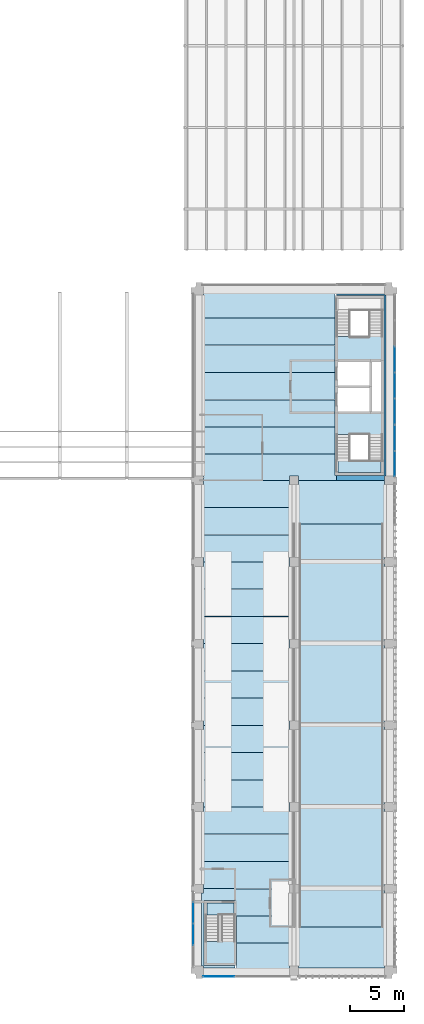
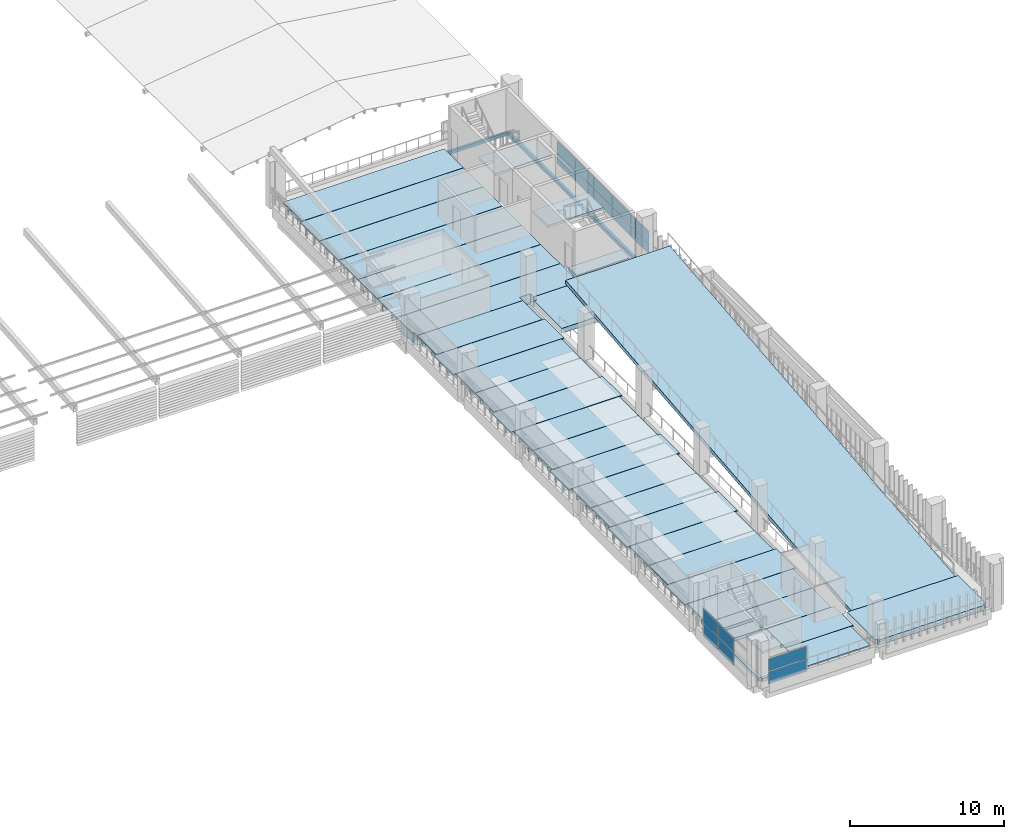
# One storey, part 22 of 52: 35 slabs, 16 plates, 6 elements without a shape of their own.
"""IFC4 building model written with IfcOpenShell, lengths in metres."""

from ifc_helpers import new_model, si_unit, direction, frame, origin, origin_2d, place, context, subcontext, project, spatial, polyline, rectangle, outline, extrude, material, layer, layer_set, material_profile, profile_set, type_object, element, aggregate, save


model = new_model("IFC4")

# Units and contexts
model_context = context("Model", 3, precision=1e-05, world=origin(), true_north=direction((0.0, 1.0)))
body_context = subcontext(model_context, "Body", "Model", "MODEL_VIEW")
ifc_project = project(units=[si_unit("LENGTHUNIT", "METRE"), si_unit("AREAUNIT", "SQUARE_METRE"), si_unit("VOLUMEUNIT", "CUBIC_METRE"), si_unit("PLANEANGLEUNIT", "RADIAN"), si_unit("MASSUNIT", "GRAM", prefix="KILO")], contexts=[model_context])

# Site, building, storey
site_placement = place(None, origin())
site = spatial("IfcSite", under=ifc_project, at=site_placement, CompositionType="ELEMENT")
building_placement = place(site_placement, origin())
building = spatial("IfcBuilding", under=site, at=building_placement, Name="Cour d'Honneur Mobility Palace", CompositionType="ELEMENT")
storey_placement = place(building_placement, frame((0.0, 0.0, 23.0)))
storey = spatial("IfcBuildingStorey", under=building, at=storey_placement, Name="L06", CompositionType="ELEMENT", Elevation=23.0)

# Slabs
ifc_material_1 = material(Name="Concrete C50", Category="concrete")
ifc_layer_1 = layer(ifc_material_1, 0.25)
ifc_layer_set_1 = layer_set([ifc_layer_1], Name="Concrete C50")
slab_type_1 = type_object("IfcSlabType", Name="Cast-in-place Slab 250", PredefinedType="FLOOR", material=ifc_layer_set_1)
slab_1_placement = place(storey_placement, frame((0.0, 0.0, -0.25)))
element("IfcSlab", 1, at=slab_1_placement, inside=storey, type_object=slab_type_1, Name="Cast-in-place slab S1 L06 core", PredefinedType="FLOOR", context=body_context, shape_type="SweptSolid", body=[
    extrude(outline(polyline([(161.89990234375, 62.0), (162.050048828125, 62.0), (162.050048828125, 45.39990234375), (161.89990234375, 45.39990234375), (161.89990234375, 45.0), (157.5, 45.0), (157.5, 45.449951171875), (161.85009765625, 45.449951171875), (161.85009765625, 61.949951171875), (157.5, 61.949951171875), (157.5, 62.125), (161.89990234375, 62.125), (161.89990234375, 62.0)])), origin(), (0.0, 0.0, 1.0), 0.25),
])
slab_2_placement = place(storey_placement, frame((0.0, 0.0, -0.25)))
element("IfcSlab", 2, at=slab_2_placement, inside=storey, type_object=slab_type_1, Name="Cast-in-place slab S1 L06 core", PredefinedType="FLOOR", context=body_context, shape_type="SweptSolid", body=[
    extrude(outline(polyline([(157.625, 46.77490234375), (161.60009765625, 46.77490234375), (161.60009765625, 45.699951171875), (157.625, 45.699951171875), (157.625, 46.77490234375)])), origin(), (0.0, 0.0, 1.0), 0.25),
])
slab_3_placement = place(storey_placement, frame((0.0, 0.0, -0.25)))
element("IfcSlab", 3, at=slab_3_placement, inside=storey, type_object=slab_type_1, Name="Cast-in-place slab S1 L06 stair strip", PredefinedType="FLOOR", context=body_context, shape_type="SweptSolid", body=[
    extrude(outline(polyline([(145.300048828125, 0.39990234375), (145.10009765625, 0.39990234375), (145.10009765625, 7.10009765625), (145.300048828125, 7.10009765625), (145.300048828125, 7.5), (148.199951171875, 7.5), (148.199951171875, 6.425048828125), (145.35009765625, 6.425048828125), (145.35009765625, 0.449951171875), (148.199951171875, 0.449951171875), (148.199951171875, 0.22509765625), (145.300048828125, 0.22509765625), (145.300048828125, 0.39990234375)])), origin(), (0.0, 0.0, 1.0), 0.25),
])
slab_4_placement = place(storey_placement, frame((0.0, 0.0, -0.25)))
element("IfcSlab", 4, at=slab_4_placement, inside=storey, type_object=slab_type_1, Name="Cast-in-place slab S1 L06 stair strip", PredefinedType="FLOOR", context=body_context, shape_type="SweptSolid", body=[
    extrude(outline(polyline([(145.60009765625, 5.10009765625), (145.60009765625, 6.175048828125), (148.074951171875, 6.175048828125), (148.074951171875, 5.10009765625), (145.60009765625, 5.10009765625)])), origin(), (0.0, 0.0, 1.0), 0.25),
])
ifc_material_2 = material(Name="Concrete C50", Category="concrete")
ifc_layer_2 = layer(ifc_material_2, 0.39990234375)
ifc_layer_set_2 = layer_set([ifc_layer_2], Name="Concrete C50")
slab_type_2 = type_object("IfcSlabType", Name="Cast-in-place Slab 400", PredefinedType="LANDING", material=ifc_layer_set_2)
slab_5_placement = place(storey_placement, frame((0.0, 0.0, -0.39990234375)))
element("IfcSlab", 5, at=slab_5_placement, inside=storey, type_object=slab_type_2, Name="Cast-in-place slab S3 L06 landing", PredefinedType="LANDING", context=body_context, shape_type="SweptSolid", body=[
    extrude(outline(polyline([(161.89990234375, 0.39990234375), (161.89990234375, 0.22509765625), (154.0, 0.22509765625), (154.0, 0.39990234375), (153.800048828125, 0.39990234375), (153.800048828125, 4.0), (162.10009765625, 4.0), (162.10009765625, 0.39990234375), (161.89990234375, 0.39990234375)])), origin(), (0.0, 0.0, 1.0), 0.39990234375),
])
slab_6_placement = place(storey_placement, frame((0.0, 0.0, -0.39990234375)))
element("IfcSlab", 6, at=slab_6_placement, inside=storey, type_object=slab_type_2, Name="Cast-in-place slab S3 L06 landing", PredefinedType="LANDING", context=body_context, shape_type="SweptSolid", body=[
    extrude(outline(polyline([(162.10009765625, 44.60009765625), (162.10009765625, 41.0), (153.800048828125, 41.0), (153.800048828125, 44.60009765625), (154.0, 44.60009765625), (154.0, 45.0), (161.89990234375, 45.0), (161.89990234375, 44.60009765625), (162.10009765625, 44.60009765625)])), origin(), (0.0, 0.0, 1.0), 0.39990234375),
])
ifc_material_3 = material(Name="Concrete C50", Category="concrete")
ifc_layer_3 = layer(ifc_material_3, 0.800048828125)
ifc_layer_set_3 = layer_set([ifc_layer_3], Name="Concrete C50")
slab_type_3 = type_object("IfcSlabType", Name="Cast-in-place Slab 800", PredefinedType="FLOOR", material=ifc_layer_set_3)
slab_7_placement = place(storey_placement, frame((0.0, 0.0, -0.800048828125)))
element("IfcSlab", 7, at=slab_7_placement, inside=storey, type_object=slab_type_3, Name="Cast-in-place slab S2 L06 closure", PredefinedType="FLOOR", context=body_context, shape_type="SweptSolid", body=[
    extrude(outline(polyline([(154.0, 45.39990234375), (153.199951171875, 45.39990234375), (153.199951171875, 45.0), (145.300048828125, 45.0), (145.300048828125, 45.39990234375), (145.14990234375, 45.39990234375), (145.14990234375, 47.39990234375), (157.375, 47.39990234375), (157.375, 45.449951171875), (157.5, 45.449951171875), (157.5, 45.0), (154.0, 45.0), (154.0, 45.39990234375)])), origin(), (0.0, 0.0, 1.0), 0.800048828125),
])

# Curtain wall, plates
ifc_material_4 = material(Name="Aluminium and glass", Category="aluminium")
ifc_layer_4 = layer(ifc_material_4, 0.10009765625)
ifc_layer_set_4 = layer_set([ifc_layer_4], Name="Aluminium and glass")
curtain_wall_type = type_object("IfcCurtainWallType", Name="Curtain wall run", PredefinedType="NOTDEFINED", material=ifc_layer_set_4)
curtain_wall_1_placement = place(storey_placement, origin())
curtain_wall_1 = element("IfcCurtainWall", 8, at=curtain_wall_1_placement, inside=storey, type_object=curtain_wall_type, Name="Curtain wall CW-93", PredefinedType="NOTDEFINED")
ifc_material_5 = material(Name="Double glazing", Category="glass")
ifc_layer_5 = layer(ifc_material_5, 0.028076171875)
ifc_layer_set_5 = layer_set([ifc_layer_5], Name="Double glazing")
plate_type = type_object("IfcPlateType", Name="Curtain wall panel", PredefinedType="CURTAIN_PANEL", material=ifc_layer_set_5)
plate_1_placement = place(storey_placement, frame((162.85009765625, 46.514892578125, 0.06005859375), z_axis=(0.0, 0.0, 1.0), x_axis=(0.0, 1.0, 0.0)))
plate_1 = element("IfcPlate", 9, at=plate_1_placement, type_object=plate_type, Name="CW-93 panel 1.1", PredefinedType="CURTAIN_PANEL", context=body_context, shape_type="SweptSolid", body=[
    extrude(rectangle(XDim=2.31005859375, YDim=0.028076171875, at=origin_2d()), origin(), (0.0, 0.0, 1.0), 0.860107421875),
])
plate_2_placement = place(storey_placement, frame((162.85009765625, 46.514892578125, 0.97998046875), z_axis=(0.0, 0.0, 1.0), x_axis=(0.0, 1.0, 0.0)))
plate_2 = element("IfcPlate", 10, at=plate_2_placement, type_object=plate_type, Name="CW-93 panel 1.2", PredefinedType="CURTAIN_PANEL", context=body_context, shape_type="SweptSolid", body=[
    extrude(rectangle(XDim=2.31005859375, YDim=0.028076171875, at=origin_2d()), origin(), (0.0, 0.0, 1.0), 0.860107421875),
])
plate_3_placement = place(storey_placement, frame((162.85009765625, 48.89990234375, 0.06005859375), z_axis=(0.0, 0.0, 1.0), x_axis=(0.0, 1.0, 0.0)))
plate_3 = element("IfcPlate", 11, at=plate_3_placement, type_object=plate_type, Name="CW-93 panel 2.1", PredefinedType="CURTAIN_PANEL", context=body_context, shape_type="SweptSolid", body=[
    extrude(rectangle(XDim=2.340087890625, YDim=0.028076171875, at=origin_2d()), origin(), (0.0, 0.0, 1.0), 0.860107421875),
])
plate_4_placement = place(storey_placement, frame((162.85009765625, 48.89990234375, 0.97998046875), z_axis=(0.0, 0.0, 1.0), x_axis=(0.0, 1.0, 0.0)))
plate_4 = element("IfcPlate", 12, at=plate_4_placement, type_object=plate_type, Name="CW-93 panel 2.2", PredefinedType="CURTAIN_PANEL", context=body_context, shape_type="SweptSolid", body=[
    extrude(rectangle(XDim=2.340087890625, YDim=0.028076171875, at=origin_2d()), origin(), (0.0, 0.0, 1.0), 0.860107421875),
])
plate_5_placement = place(storey_placement, frame((162.85009765625, 51.300048828125, 0.06005859375), z_axis=(0.0, 0.0, 1.0), x_axis=(0.0, 1.0, 0.0)))
plate_5 = element("IfcPlate", 13, at=plate_5_placement, type_object=plate_type, Name="CW-93 panel 3.1", PredefinedType="CURTAIN_PANEL", context=body_context, shape_type="SweptSolid", body=[
    extrude(rectangle(XDim=2.340087890625, YDim=0.028076171875, at=origin_2d()), origin(), (0.0, 0.0, 1.0), 0.860107421875),
])
plate_6_placement = place(storey_placement, frame((162.85009765625, 51.300048828125, 0.97998046875), z_axis=(0.0, 0.0, 1.0), x_axis=(0.0, 1.0, 0.0)))
plate_6 = element("IfcPlate", 14, at=plate_6_placement, type_object=plate_type, Name="CW-93 panel 3.2", PredefinedType="CURTAIN_PANEL", context=body_context, shape_type="SweptSolid", body=[
    extrude(rectangle(XDim=2.340087890625, YDim=0.028076171875, at=origin_2d()), origin(), (0.0, 0.0, 1.0), 0.860107421875),
])
plate_7_placement = place(storey_placement, frame((162.85009765625, 53.699951171875, 0.06005859375), z_axis=(0.0, 0.0, 1.0), x_axis=(0.0, 1.0, 0.0)))
plate_7 = element("IfcPlate", 15, at=plate_7_placement, type_object=plate_type, Name="CW-93 panel 4.1", PredefinedType="CURTAIN_PANEL", context=body_context, shape_type="SweptSolid", body=[
    extrude(rectangle(XDim=2.340087890625, YDim=0.028076171875, at=origin_2d()), origin(), (0.0, 0.0, 1.0), 0.860107421875),
])
plate_8_placement = place(storey_placement, frame((162.85009765625, 53.699951171875, 0.97998046875), z_axis=(0.0, 0.0, 1.0), x_axis=(0.0, 1.0, 0.0)))
plate_8 = element("IfcPlate", 16, at=plate_8_placement, type_object=plate_type, Name="CW-93 panel 4.2", PredefinedType="CURTAIN_PANEL", context=body_context, shape_type="SweptSolid", body=[
    extrude(rectangle(XDim=2.340087890625, YDim=0.028076171875, at=origin_2d()), origin(), (0.0, 0.0, 1.0), 0.860107421875),
])
plate_9_placement = place(storey_placement, frame((162.85009765625, 56.10009765625, 0.06005859375), z_axis=(0.0, 0.0, 1.0), x_axis=(0.0, 1.0, 0.0)))
plate_9 = element("IfcPlate", 17, at=plate_9_placement, type_object=plate_type, Name="CW-93 panel 5.1", PredefinedType="CURTAIN_PANEL", context=body_context, shape_type="SweptSolid", body=[
    extrude(rectangle(XDim=2.340087890625, YDim=0.028076171875, at=origin_2d()), origin(), (0.0, 0.0, 1.0), 0.860107421875),
])
plate_10_placement = place(storey_placement, frame((162.85009765625, 56.10009765625, 0.97998046875), z_axis=(0.0, 0.0, 1.0), x_axis=(0.0, 1.0, 0.0)))
plate_10 = element("IfcPlate", 18, at=plate_10_placement, type_object=plate_type, Name="CW-93 panel 5.2", PredefinedType="CURTAIN_PANEL", context=body_context, shape_type="SweptSolid", body=[
    extrude(rectangle(XDim=2.340087890625, YDim=0.028076171875, at=origin_2d()), origin(), (0.0, 0.0, 1.0), 0.860107421875),
])
aggregate(curtain_wall_1, [plate_1, plate_2, plate_3, plate_4, plate_5, plate_6, plate_7, plate_8, plate_9, plate_10])

curtain_wall_2_placement = place(storey_placement, origin())
curtain_wall_2 = element("IfcCurtainWall", 19, at=curtain_wall_2_placement, inside=storey, type_object=curtain_wall_type, Name="Curtain wall CW-145", PredefinedType="NOTDEFINED")
plate_11_placement = place(storey_placement, frame((146.699951171875, -0.550048828125, 0.06005859375), z_axis=(0.0, 0.0, 1.0), x_axis=(1.0, 0.0, 0.0)))
plate_11 = element("IfcPlate", 20, at=plate_11_placement, type_object=plate_type, Name="CW-145 panel 1.1", PredefinedType="CURTAIN_PANEL", context=body_context, shape_type="SweptSolid", body=[
    extrude(rectangle(XDim=2.8798828125, YDim=0.028076171875, at=origin_2d()), origin(), (0.0, 0.0, 1.0), 0.9599609375),
])
plate_12_placement = place(storey_placement, frame((146.699951171875, -0.550048828125, 1.080078125), z_axis=(0.0, 0.0, 1.0), x_axis=(1.0, 0.0, 0.0)))
plate_12 = element("IfcPlate", 21, at=plate_12_placement, type_object=plate_type, Name="CW-145 panel 1.2", PredefinedType="CURTAIN_PANEL", context=body_context, shape_type="SweptSolid", body=[
    extrude(rectangle(XDim=2.8798828125, YDim=0.028076171875, at=origin_2d()), origin(), (0.0, 0.0, 1.0), 0.9599609375),
])
aggregate(curtain_wall_2, [plate_11, plate_12])

curtain_wall_3_placement = place(storey_placement, origin())
curtain_wall_3 = element("IfcCurtainWall", 22, at=curtain_wall_3_placement, inside=storey, type_object=curtain_wall_type, Name="Curtain wall CW-146", PredefinedType="NOTDEFINED")
plate_13_placement = place(storey_placement, frame((144.35009765625, 5.284912109375, 0.06005859375), z_axis=(0.0, 0.0, 1.0), x_axis=(0.0, -1.0, 0.0)))
plate_13 = element("IfcPlate", 23, at=plate_13_placement, type_object=plate_type, Name="CW-146 panel 1.1", PredefinedType="CURTAIN_PANEL", context=body_context, shape_type="SweptSolid", body=[
    extrude(rectangle(XDim=1.909912109375, YDim=0.028076171875, at=origin_2d()), origin(), (0.0, 0.0, 1.0), 1.06005859375),
])
plate_14_placement = place(storey_placement, frame((144.35009765625, 5.284912109375, 1.179931640625), z_axis=(0.0, 0.0, 1.0), x_axis=(0.0, -1.0, 0.0)))
plate_14 = element("IfcPlate", 24, at=plate_14_placement, type_object=plate_type, Name="CW-146 panel 1.2", PredefinedType="CURTAIN_PANEL", context=body_context, shape_type="SweptSolid", body=[
    extrude(rectangle(XDim=1.909912109375, YDim=0.028076171875, at=origin_2d()), origin(), (0.0, 0.0, 1.0), 1.06005859375),
])
plate_15_placement = place(storey_placement, frame((144.35009765625, 3.300048828125, 0.06005859375), z_axis=(0.0, 0.0, 1.0), x_axis=(0.0, -1.0, 0.0)))
plate_15 = element("IfcPlate", 25, at=plate_15_placement, type_object=plate_type, Name="CW-146 panel 2.1", PredefinedType="CURTAIN_PANEL", context=body_context, shape_type="SweptSolid", body=[
    extrude(rectangle(XDim=1.93994140625, YDim=0.028076171875, at=origin_2d()), origin(), (0.0, 0.0, 1.0), 1.06005859375),
])
plate_16_placement = place(storey_placement, frame((144.35009765625, 3.300048828125, 1.179931640625), z_axis=(0.0, 0.0, 1.0), x_axis=(0.0, -1.0, 0.0)))
plate_16 = element("IfcPlate", 26, at=plate_16_placement, type_object=plate_type, Name="CW-146 panel 2.2", PredefinedType="CURTAIN_PANEL", context=body_context, shape_type="SweptSolid", body=[
    extrude(rectangle(XDim=1.93994140625, YDim=0.028076171875, at=origin_2d()), origin(), (0.0, 0.0, 1.0), 1.06005859375),
])
aggregate(curtain_wall_3, [plate_13, plate_14, plate_15, plate_16])

# Slabs
ifc_material_6 = material(Name="Concrete C45", Category="concrete")
ifc_material_profile_1 = material_profile(ifc_material_6, outline(polyline([(-1.2451171875, 0.0), (1.2451171875, 0.0), (1.2451171875, -0.074951171875), (0.659912109375, -0.074951171875), (0.639892578125, -0.39990234375), (0.56005859375, -0.39990234375), (0.5400390625, -0.074951171875), (-0.5400390625, -0.074951171875), (-0.56005859375, -0.39990234375), (-0.639892578125, -0.39990234375), (-0.659912109375, -0.074951171875), (-1.2451171875, -0.074951171875), (-1.2451171875, 0.0)])), Name="DT 2490x400")
ifc_profile_set_1 = profile_set([ifc_material_profile_1], Name="Concrete C45")
slab_type_4 = type_object("IfcSlabType", Name="DT 2490x400", PredefinedType="FLOOR", material=ifc_profile_set_1)
slab_8_placement = place(storey_placement, frame((148.324951171875, 1.25, 0.0), z_axis=(1.0, 0.0, 0.0), x_axis=(0.0, 1.0, 0.0)))
element("IfcSlab", 27, at=slab_8_placement, inside=storey, type_object=slab_type_4, Name="Double tee DT-SE1 L06", PredefinedType="FLOOR", context=body_context, shape_type="SweptSolid", body=[
    extrude(outline(polyline([(-1.2451171875, 0.0), (1.2451171875, 0.0), (1.2451171875, -0.074951171875), (0.659912109375, -0.074951171875), (0.639892578125, -0.39990234375), (0.56005859375, -0.39990234375), (0.5400390625, -0.074951171875), (-0.5400390625, -0.074951171875), (-0.56005859375, -0.39990234375), (-0.639892578125, -0.39990234375), (-0.659912109375, -0.074951171875), (-1.2451171875, -0.074951171875), (-1.2451171875, 0.0)])), origin(), (0.0, 0.0, 1.0), 4.875),
])
slab_9_placement = place(storey_placement, frame((148.324951171875, 3.75, 0.0), z_axis=(1.0, 0.0, 0.0), x_axis=(0.0, 1.0, 0.0)))
element("IfcSlab", 28, at=slab_9_placement, inside=storey, type_object=slab_type_4, Name="Double tee DT-SE2 L06", PredefinedType="FLOOR", context=body_context, shape_type="SweptSolid", body=[
    extrude(outline(polyline([(-1.2451171875, 0.0), (1.2451171875, 0.0), (1.2451171875, -0.074951171875), (0.659912109375, -0.074951171875), (0.639892578125, -0.39990234375), (0.56005859375, -0.39990234375), (0.5400390625, -0.074951171875), (-0.5400390625, -0.074951171875), (-0.56005859375, -0.39990234375), (-0.639892578125, -0.39990234375), (-0.659912109375, -0.074951171875), (-1.2451171875, -0.074951171875), (-1.2451171875, 0.0)])), origin(), (0.0, 0.0, 1.0), 5.074951171875),
])
slab_10_placement = place(storey_placement, frame((148.199951171875, 6.25, 0.0), z_axis=(1.0, 0.0, 0.0), x_axis=(0.0, 1.0, 0.0)))
element("IfcSlab", 29, at=slab_10_placement, inside=storey, type_object=slab_type_4, Name="Double tee DT-SE3 L06", PredefinedType="FLOOR", context=body_context, shape_type="SweptSolid", body=[
    extrude(outline(polyline([(-1.2451171875, 0.0), (1.2451171875, 0.0), (1.2451171875, -0.074951171875), (0.659912109375, -0.074951171875), (0.639892578125, -0.39990234375), (0.56005859375, -0.39990234375), (0.5400390625, -0.074951171875), (-0.5400390625, -0.074951171875), (-0.56005859375, -0.39990234375), (-0.639892578125, -0.39990234375), (-0.659912109375, -0.074951171875), (-1.2451171875, -0.074951171875), (-1.2451171875, 0.0)])), origin(), (0.0, 0.0, 1.0), 5.0),
])
ifc_material_7 = material(Name="Concrete C45", Category="concrete")
ifc_material_profile_2 = material_profile(ifc_material_7, outline(polyline([(-1.2451171875, 0.0), (1.2451171875, 0.0), (1.2451171875, -0.10009765625), (0.669921875, -0.10009765625), (0.64501953125, -0.5), (0.554931640625, -0.5), (0.530029296875, -0.10009765625), (-0.530029296875, -0.10009765625), (-0.554931640625, -0.5), (-0.64501953125, -0.5), (-0.669921875, -0.10009765625), (-1.2451171875, -0.10009765625), (-1.2451171875, 0.0)])), Name="DT 2490x500")
ifc_profile_set_2 = profile_set([ifc_material_profile_2], Name="Concrete C45")
slab_type_5 = type_object("IfcSlabType", Name="DT 2490x500", PredefinedType="FLOOR", material=ifc_profile_set_2)
slab_11_placement = place(storey_placement, frame((145.300048828125, 8.75, 0.0), z_axis=(1.0, 0.0, 0.0), x_axis=(0.0, 1.0, 0.0)))
element("IfcSlab", 30, at=slab_11_placement, inside=storey, type_object=slab_type_5, Name="Double tee DT-SE4 L06", PredefinedType="FLOOR", context=body_context, shape_type="SweptSolid", body=[
    extrude(outline(polyline([(-1.2451171875, 0.0), (1.2451171875, 0.0), (1.2451171875, -0.10009765625), (0.669921875, -0.10009765625), (0.64501953125, -0.5), (0.554931640625, -0.5), (0.530029296875, -0.10009765625), (-0.530029296875, -0.10009765625), (-0.554931640625, -0.5), (-0.64501953125, -0.5), (-0.669921875, -0.10009765625), (-1.2451171875, -0.10009765625), (-1.2451171875, 0.0)])), origin(), (0.0, 0.0, 1.0), 7.89990234375),
])
slab_12_placement = place(storey_placement, frame((145.10009765625, 11.25, 0.0), z_axis=(1.0, 0.0, 0.0), x_axis=(0.0, 1.0, 0.0)))
element("IfcSlab", 31, at=slab_12_placement, inside=storey, type_object=slab_type_5, Name="Double tee DT-SE5 L06", PredefinedType="FLOOR", context=body_context, shape_type="SweptSolid", body=[
    extrude(outline(polyline([(-1.2451171875, 0.0), (1.2451171875, 0.0), (1.2451171875, -0.10009765625), (0.669921875, -0.10009765625), (0.64501953125, -0.5), (0.554931640625, -0.5), (0.530029296875, -0.10009765625), (-0.530029296875, -0.10009765625), (-0.554931640625, -0.5), (-0.64501953125, -0.5), (-0.669921875, -0.10009765625), (-1.2451171875, -0.10009765625), (-1.2451171875, 0.0)])), origin(), (0.0, 0.0, 1.0), 8.2998046875),
])
for number, where, z_axis, x_axis, name in (
    (32, (145.300048828125, 13.75, 0.0), (1.0, 0.0, 0.0), (0.0, 1.0, 0.0), "Double tee DT-SE6 L06"),
    (33, (145.300048828125, 16.25, 0.0), (1.0, 0.0, 0.0), (0.0, 1.0, 0.0), "Double tee DT-SE7 L06"),
):
    element("IfcSlab", number, at=place(storey_placement, frame(where, z_axis=z_axis, x_axis=x_axis)), inside=storey, type_object=slab_type_5, Name=name, PredefinedType="FLOOR", context=body_context, shape_type="SweptSolid", body=[
        extrude(outline(polyline([(-1.2451171875, 0.0), (1.2451171875, 0.0), (1.2451171875, -0.10009765625), (0.669921875, -0.10009765625), (0.64501953125, -0.5), (0.554931640625, -0.5), (0.530029296875, -0.10009765625), (-0.530029296875, -0.10009765625), (-0.554931640625, -0.5), (-0.64501953125, -0.5), (-0.669921875, -0.10009765625), (-1.2451171875, -0.10009765625), (-1.2451171875, 0.0)])), origin(), (0.0, 0.0, 1.0), 7.89990234375),
    ])
slab_13_placement = place(storey_placement, frame((145.10009765625, 18.75, 0.0), z_axis=(1.0, 0.0, 0.0), x_axis=(0.0, 1.0, 0.0)))
element("IfcSlab", 34, at=slab_13_placement, inside=storey, type_object=slab_type_5, Name="Double tee DT-SE8 L06", PredefinedType="FLOOR", context=body_context, shape_type="SweptSolid", body=[
    extrude(outline(polyline([(-1.2451171875, 0.0), (1.2451171875, 0.0), (1.2451171875, -0.10009765625), (0.669921875, -0.10009765625), (0.64501953125, -0.5), (0.554931640625, -0.5), (0.530029296875, -0.10009765625), (-0.530029296875, -0.10009765625), (-0.554931640625, -0.5), (-0.64501953125, -0.5), (-0.669921875, -0.10009765625), (-1.2451171875, -0.10009765625), (-1.2451171875, 0.0)])), origin(), (0.0, 0.0, 1.0), 8.2998046875),
])
for number, where, z_axis, x_axis, name in (
    (35, (145.300048828125, 21.25, 0.0), (1.0, 0.0, 0.0), (0.0, 1.0, 0.0), "Double tee DT-SE9 L06"),
    (36, (145.300048828125, 23.75, 0.0), (1.0, 0.0, 0.0), (0.0, 1.0, 0.0), "Double tee DT-SE10 L06"),
):
    element("IfcSlab", number, at=place(storey_placement, frame(where, z_axis=z_axis, x_axis=x_axis)), inside=storey, type_object=slab_type_5, Name=name, PredefinedType="FLOOR", context=body_context, shape_type="SweptSolid", body=[
        extrude(outline(polyline([(-1.2451171875, 0.0), (1.2451171875, 0.0), (1.2451171875, -0.10009765625), (0.669921875, -0.10009765625), (0.64501953125, -0.5), (0.554931640625, -0.5), (0.530029296875, -0.10009765625), (-0.530029296875, -0.10009765625), (-0.554931640625, -0.5), (-0.64501953125, -0.5), (-0.669921875, -0.10009765625), (-1.2451171875, -0.10009765625), (-1.2451171875, 0.0)])), origin(), (0.0, 0.0, 1.0), 7.89990234375),
    ])
slab_14_placement = place(storey_placement, frame((145.10009765625, 26.25, 0.0), z_axis=(1.0, 0.0, 0.0), x_axis=(0.0, 1.0, 0.0)))
element("IfcSlab", 37, at=slab_14_placement, inside=storey, type_object=slab_type_5, Name="Double tee DT-SE11 L06", PredefinedType="FLOOR", context=body_context, shape_type="SweptSolid", body=[
    extrude(outline(polyline([(-1.2451171875, 0.0), (1.2451171875, 0.0), (1.2451171875, -0.10009765625), (0.669921875, -0.10009765625), (0.64501953125, -0.5), (0.554931640625, -0.5), (0.530029296875, -0.10009765625), (-0.530029296875, -0.10009765625), (-0.554931640625, -0.5), (-0.64501953125, -0.5), (-0.669921875, -0.10009765625), (-1.2451171875, -0.10009765625), (-1.2451171875, 0.0)])), origin(), (0.0, 0.0, 1.0), 8.2998046875),
])
for number, where, z_axis, x_axis, name in (
    (38, (145.300048828125, 28.75, 0.0), (1.0, 0.0, 0.0), (0.0, 1.0, 0.0), "Double tee DT-SE12 L06"),
    (39, (145.300048828125, 31.25, 0.0), (1.0, 0.0, 0.0), (0.0, 1.0, 0.0), "Double tee DT-SE13 L06"),
):
    element("IfcSlab", number, at=place(storey_placement, frame(where, z_axis=z_axis, x_axis=x_axis)), inside=storey, type_object=slab_type_5, Name=name, PredefinedType="FLOOR", context=body_context, shape_type="SweptSolid", body=[
        extrude(outline(polyline([(-1.2451171875, 0.0), (1.2451171875, 0.0), (1.2451171875, -0.10009765625), (0.669921875, -0.10009765625), (0.64501953125, -0.5), (0.554931640625, -0.5), (0.530029296875, -0.10009765625), (-0.530029296875, -0.10009765625), (-0.554931640625, -0.5), (-0.64501953125, -0.5), (-0.669921875, -0.10009765625), (-1.2451171875, -0.10009765625), (-1.2451171875, 0.0)])), origin(), (0.0, 0.0, 1.0), 7.89990234375),
    ])
slab_15_placement = place(storey_placement, frame((145.10009765625, 33.75, 0.0), z_axis=(1.0, 0.0, 0.0), x_axis=(0.0, 1.0, 0.0)))
element("IfcSlab", 40, at=slab_15_placement, inside=storey, type_object=slab_type_5, Name="Double tee DT-SE14 L06", PredefinedType="FLOOR", context=body_context, shape_type="SweptSolid", body=[
    extrude(outline(polyline([(-1.2451171875, 0.0), (1.2451171875, 0.0), (1.2451171875, -0.10009765625), (0.669921875, -0.10009765625), (0.64501953125, -0.5), (0.554931640625, -0.5), (0.530029296875, -0.10009765625), (-0.530029296875, -0.10009765625), (-0.554931640625, -0.5), (-0.64501953125, -0.5), (-0.669921875, -0.10009765625), (-1.2451171875, -0.10009765625), (-1.2451171875, 0.0)])), origin(), (0.0, 0.0, 1.0), 8.2998046875),
])
for number, where, z_axis, x_axis, name in (
    (41, (145.300048828125, 36.25, 0.0), (1.0, 0.0, 0.0), (0.0, 1.0, 0.0), "Double tee DT-SE15 L06"),
    (42, (145.300048828125, 38.75, 0.0), (1.0, 0.0, 0.0), (0.0, 1.0, 0.0), "Double tee DT-SE16 L06"),
):
    element("IfcSlab", number, at=place(storey_placement, frame(where, z_axis=z_axis, x_axis=x_axis)), inside=storey, type_object=slab_type_5, Name=name, PredefinedType="FLOOR", context=body_context, shape_type="SweptSolid", body=[
        extrude(outline(polyline([(-1.2451171875, 0.0), (1.2451171875, 0.0), (1.2451171875, -0.10009765625), (0.669921875, -0.10009765625), (0.64501953125, -0.5), (0.554931640625, -0.5), (0.530029296875, -0.10009765625), (-0.530029296875, -0.10009765625), (-0.554931640625, -0.5), (-0.64501953125, -0.5), (-0.669921875, -0.10009765625), (-1.2451171875, -0.10009765625), (-1.2451171875, 0.0)])), origin(), (0.0, 0.0, 1.0), 7.89990234375),
    ])
slab_16_placement = place(storey_placement, frame((145.10009765625, 41.25, 0.0), z_axis=(1.0, 0.0, 0.0), x_axis=(0.0, 1.0, 0.0)))
element("IfcSlab", 43, at=slab_16_placement, inside=storey, type_object=slab_type_5, Name="Double tee DT-SE17 L06", PredefinedType="FLOOR", context=body_context, shape_type="SweptSolid", body=[
    extrude(outline(polyline([(-1.2451171875, 0.0), (1.2451171875, 0.0), (1.2451171875, -0.10009765625), (0.669921875, -0.10009765625), (0.64501953125, -0.5), (0.554931640625, -0.5), (0.530029296875, -0.10009765625), (-0.530029296875, -0.10009765625), (-0.554931640625, -0.5), (-0.64501953125, -0.5), (-0.669921875, -0.10009765625), (-1.2451171875, -0.10009765625), (-1.2451171875, 0.0)])), origin(), (0.0, 0.0, 1.0), 8.2998046875),
])
slab_17_placement = place(storey_placement, frame((145.300048828125, 43.75, 0.0), z_axis=(1.0, 0.0, 0.0), x_axis=(0.0, 1.0, 0.0)))
element("IfcSlab", 44, at=slab_17_placement, inside=storey, type_object=slab_type_5, Name="Double tee DT-SE18 L06", PredefinedType="FLOOR", context=body_context, shape_type="SweptSolid", body=[
    extrude(outline(polyline([(-1.2451171875, 0.0), (1.2451171875, 0.0), (1.2451171875, -0.10009765625), (0.669921875, -0.10009765625), (0.64501953125, -0.5), (0.554931640625, -0.5), (0.530029296875, -0.10009765625), (-0.530029296875, -0.10009765625), (-0.554931640625, -0.5), (-0.64501953125, -0.5), (-0.669921875, -0.10009765625), (-1.2451171875, -0.10009765625), (-1.2451171875, 0.0)])), origin(), (0.0, 0.0, 1.0), 7.89990234375),
])
ifc_material_8 = material(Name="Concrete C45", Category="concrete")
ifc_material_profile_3 = material_profile(ifc_material_8, outline(polyline([(-1.2451171875, 0.0), (1.2451171875, 0.0), (1.2451171875, -0.10009765625), (0.679931640625, -0.10009765625), (0.64990234375, -0.64990234375), (0.550048828125, -0.64990234375), (0.52001953125, -0.10009765625), (-0.52001953125, -0.10009765625), (-0.550048828125, -0.64990234375), (-0.64990234375, -0.64990234375), (-0.679931640625, -0.10009765625), (-1.2451171875, -0.10009765625), (-1.2451171875, 0.0)])), Name="DT 2490x650")
ifc_profile_set_3 = profile_set([ifc_material_profile_3], Name="Concrete C45")
slab_type_6 = type_object("IfcSlabType", Name="DT 2490x650", PredefinedType="FLOOR", material=ifc_profile_set_3)
for number, where, z_axis, x_axis, name in (
    (45, (145.14990234375, 48.64990234375, 0.0), (1.0, 0.0, 0.0), (0.0, 1.0, 0.0), "Double tee DT-JE1 L06"),
    (46, (145.14990234375, 51.14990234375, 0.0), (1.0, 0.0, 0.0), (0.0, 1.0, 0.0), "Double tee DT-JE2 L06"),
    (47, (145.14990234375, 53.64990234375, 0.0), (1.0, 0.0, 0.0), (0.0, 1.0, 0.0), "Double tee DT-JE3 L06"),
    (48, (145.14990234375, 56.14990234375, 0.0), (1.0, 0.0, 0.0), (0.0, 1.0, 0.0), "Double tee DT-JE4 L06"),
    (49, (145.14990234375, 58.64990234375, 0.0), (1.0, 0.0, 0.0), (0.0, 1.0, 0.0), "Double tee DT-JE5 L06"),
):
    element("IfcSlab", number, at=place(storey_placement, frame(where, z_axis=z_axis, x_axis=x_axis)), inside=storey, type_object=slab_type_6, Name=name, PredefinedType="FLOOR", context=body_context, shape_type="SweptSolid", body=[
        extrude(outline(polyline([(-1.2451171875, 0.0), (1.2451171875, 0.0), (1.2451171875, -0.10009765625), (0.679931640625, -0.10009765625), (0.64990234375, -0.64990234375), (0.550048828125, -0.64990234375), (0.52001953125, -0.10009765625), (-0.52001953125, -0.10009765625), (-0.550048828125, -0.64990234375), (-0.64990234375, -0.64990234375), (-0.679931640625, -0.10009765625), (-1.2451171875, -0.10009765625), (-1.2451171875, 0.0)])), origin(), (0.0, 0.0, 1.0), 12.22509765625),
    ])
slab_18_placement = place(storey_placement, frame((145.300048828125, 61.14990234375, 0.0), z_axis=(1.0, 0.0, 0.0), x_axis=(0.0, 1.0, 0.0)))
element("IfcSlab", 50, at=slab_18_placement, inside=storey, type_object=slab_type_6, Name="Double tee DT-JE6 L06", PredefinedType="FLOOR", context=body_context, shape_type="SweptSolid", body=[
    extrude(outline(polyline([(-1.2451171875, 0.0), (1.2451171875, 0.0), (1.2451171875, -0.10009765625), (0.679931640625, -0.10009765625), (0.64990234375, -0.64990234375), (0.550048828125, -0.64990234375), (0.52001953125, -0.10009765625), (-0.52001953125, -0.10009765625), (-0.550048828125, -0.64990234375), (-0.64990234375, -0.64990234375), (-0.679931640625, -0.10009765625), (-1.2451171875, -0.10009765625), (-1.2451171875, 0.0)])), origin(), (0.0, 0.0, 1.0), 12.074951171875),
])

# Stair, slab
ifc_material_9 = material(Name="Concrete C50", Category="concrete")
stair_type = type_object("IfcStairType", Name="Stair 20 risers", PredefinedType="HALF_TURN_STAIR", material=ifc_material_9)
stair_1_placement = place(storey_placement, origin())
stair_1 = element("IfcStair", 51, at=stair_1_placement, inside=storey, type_object=stair_type, Name="Stair ST-CE1", PredefinedType="HALF_TURN_STAIR")
ifc_material_10 = material(Name="Concrete C50", Category="concrete")
ifc_layer_6 = layer(ifc_material_10, 0.199951171875)
ifc_layer_set_6 = layer_set([ifc_layer_6], Name="Concrete C50")
slab_type_7 = type_object("IfcSlabType", Name="Stair landing", PredefinedType="LANDING", material=ifc_layer_set_6)
slab_19_placement = place(storey_placement, frame((0.0, 0.0, 1.64990234375)))
slab_19 = element("IfcSlab", 52, at=slab_19_placement, type_object=slab_type_7, Name="ST-CE1 landing 1", PredefinedType="LANDING", context=body_context, shape_type="SweptSolid", body=[
    extrude(outline(polyline([(157.5, 49.205078125), (161.72509765625, 49.205078125), (161.72509765625, 51.199951171875), (157.5, 51.199951171875), (157.5, 49.205078125)])), origin(), (0.0, 0.0, 1.0), 0.2001953125),
])
aggregate(stair_1, [slab_19])

stair_2_placement = place(storey_placement, origin())
stair_2 = element("IfcStair", 53, at=stair_2_placement, inside=storey, type_object=stair_type, Name="Stair ST-CE2", PredefinedType="HALF_TURN_STAIR")
slab_20_placement = place(storey_placement, frame((0.0, 0.0, 1.64990234375)))
slab_20 = element("IfcSlab", 54, at=slab_20_placement, type_object=slab_type_7, Name="ST-CE2 landing 1", PredefinedType="LANDING", context=body_context, shape_type="SweptSolid", body=[
    extrude(outline(polyline([(157.5, 56.0), (161.72509765625, 56.0), (161.72509765625, 58.195068359375), (157.5, 58.195068359375), (157.5, 56.0)])), origin(), (0.0, 0.0, 1.0), 0.2001953125),
])
aggregate(stair_2, [slab_20])

stair_3_placement = place(storey_placement, origin())
stair_3 = element("IfcStair", 55, at=stair_3_placement, inside=storey, type_object=stair_type, Name="Stair ST-RE1", PredefinedType="HALF_TURN_STAIR")
slab_21_placement = place(storey_placement, frame((0.0, 0.0, 1.64990234375)))
slab_21 = element("IfcSlab", 56, at=slab_21_placement, type_object=slab_type_7, Name="ST-RE1 landing 1", PredefinedType="LANDING", context=body_context, shape_type="SweptSolid", body=[
    extrude(outline(polyline([(145.47509765625, 0.574951171875), (148.199951171875, 0.574951171875), (148.199951171875, 2.669921875), (145.47509765625, 2.669921875), (145.47509765625, 0.574951171875)])), origin(), (0.0, 0.0, 1.0), 0.2001953125),
])
aggregate(stair_3, [slab_21])

# Slab
ifc_material_11 = material(Name="Concrete C45", Category="concrete")
ifc_layer_7 = layer(ifc_material_11, 0.300048828125)
ifc_layer_set_7 = layer_set([ifc_layer_7], Name="Concrete C45")
slab_type_8 = type_object("IfcSlabType", Name="Vehicle ramp slab 300", PredefinedType="USERDEFINED", material=ifc_layer_set_7)
slab_22_placement = place(storey_placement, frame((154.10009765625, 4.0, 0.0), z_axis=(0.0, -0.099502418892, 0.995037320222), x_axis=(1.0, 0.0, 0.0)))
element("IfcSlab", 57, at=slab_22_placement, inside=storey, type_object=slab_type_8, Name="Vehicle ramp East 7 slab", ObjectType="VEHICLE RAMP SLAB", PredefinedType="USERDEFINED", context=body_context, shape_type="SweptSolid", body=[
    extrude(outline(polyline([(0.0, 0.0), (7.7998046875, 0.0), (7.7998046875, 37.184534939599004), (0.0, 37.184534939599004), (0.0, 0.0)])), origin(), (0.0, 0.0, -1.0), 0.300048828125),
])

save(model, "model.ifc")
